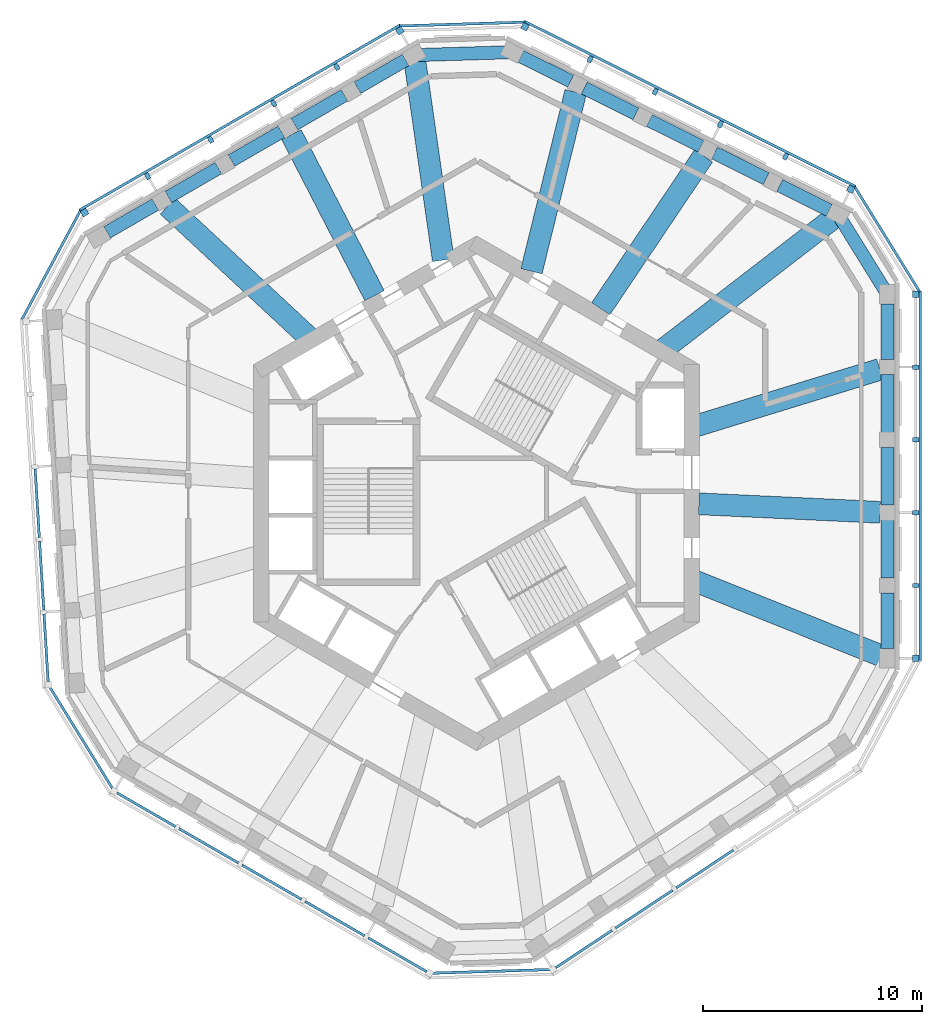
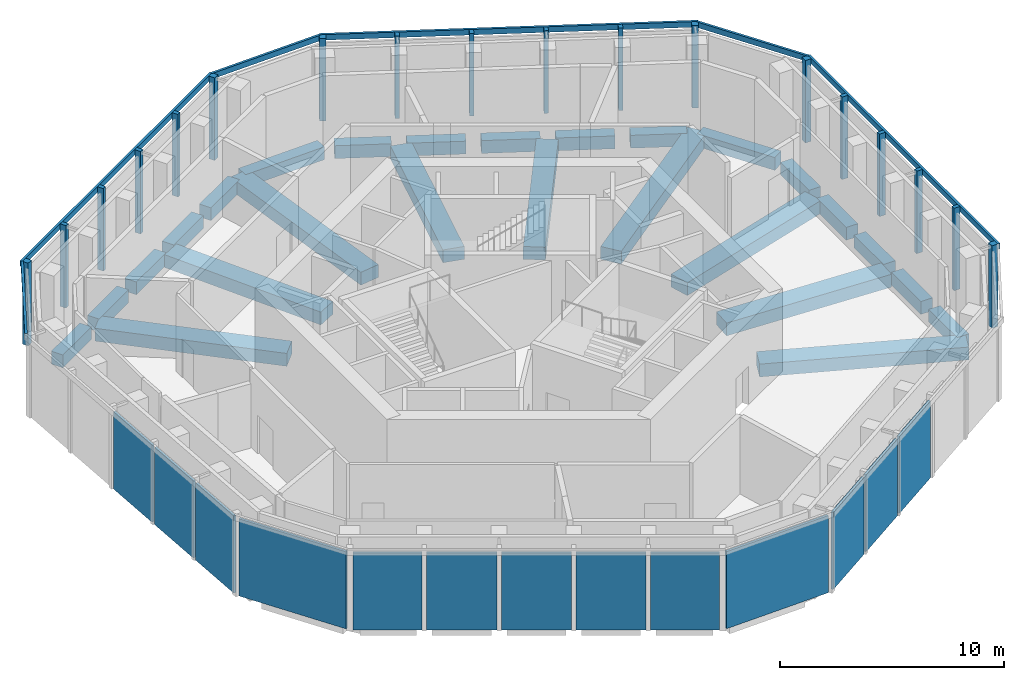
# One storey, part 2 of 9: 26 beams, 24 members, 13 plates, 11 elements without a shape of their own.
"""IFC4 building model written with IfcOpenShell, lengths in metres."""

import ifcopenshell
import ifcopenshell.guid

model = None  # the IFC model being written
_history = None  # IfcOwnerHistory: only IFC2X3 demands one
_inside = {}  # id of a spatial element -> (the spatial element, [elements in it])
_under = {}  # id of a project, library or spatial element -> (it, [spatial elements below it])
_declared = {}  # id of a project -> (the project, [libraries it declares])
_typed = {}  # id of a type object -> (the type object, [elements of that type])
_made_of = {}  # id of a material, layer set ... -> (it, [elements and type objects made of it])


def new_model(schema):
    """Start an empty IFC model of exactly this schema.

    Asked for "IFC4X3", IfcOpenShell would pick the latest addendum, in which some entities
    have other attributes; the version numbers below select the first issue.
    IFC2X3 requires an IfcOwnerHistory on every rooted entity: one is made here for all.
    """
    global model, _history
    if schema == "IFC4X3":
        model = ifcopenshell.file(schema_version=(4, 3, 0, 0))
    else:
        model = ifcopenshell.file(schema=schema)
    _inside.clear()
    _under.clear()
    _declared.clear()
    _typed.clear()
    _made_of.clear()
    _history = None
    if model.schema == "IFC2X3":
        org = make("IfcOrganization", Name="unknown")
        user = make(
            "IfcPersonAndOrganization",
            ThePerson=make("IfcPerson", FamilyName="unknown"),
            TheOrganization=org,
        )
        app = make(
            "IfcApplication",
            ApplicationDeveloper=org,
            Version="unknown",
            ApplicationFullName="unknown",
            ApplicationIdentifier="unknown",
        )
        _history = make(
            "IfcOwnerHistory",
            OwningUser=user,
            OwningApplication=app,
            ChangeAction="ADDED",
            CreationDate=0,
        )
    return model


def make(cls, **values):
    """One entity of the class cls with the attributes given. An attribute that is None is left unset."""
    return model.create_entity(
        cls, **{name: value for name, value in values.items() if value is not None}
    )


def rooted(cls, **values):
    """An entity with a GlobalId (a new one), such as an element, a storey or a relation."""
    return make(cls, GlobalId=ifcopenshell.guid.new(), OwnerHistory=_history, **values)


def si_unit(unit_type, name, prefix=None):
    """IfcSIUnit, for example si_unit("LENGTHUNIT", "METRE", prefix="MILLI")."""
    return make("IfcSIUnit", UnitType=unit_type, Prefix=prefix, Name=name)


def assignment(units):
    """IfcUnitAssignment: the units of a project."""
    return None if units is None else make("IfcUnitAssignment", Units=units)


def point(xyz):
    """IfcCartesianPoint."""
    return None if xyz is None else make("IfcCartesianPoint", Coordinates=xyz)


def direction(xyz):
    """IfcDirection."""
    return None if xyz is None else make("IfcDirection", DirectionRatios=xyz)


def frame(location, z_axis=None, x_axis=None):
    """IfcAxis2Placement3D, a coordinate frame: its origin and axes. An axis left out is left unset."""
    return make(
        "IfcAxis2Placement3D",
        Location=point(location),
        Axis=direction(z_axis),
        RefDirection=direction(x_axis),
    )


def frame_2d(location, x_axis=None):
    """IfcAxis2Placement2D, a coordinate frame in the plane: its origin and x axis."""
    return make(
        "IfcAxis2Placement2D", Location=point(location), RefDirection=direction(x_axis)
    )


def origin():
    """The frame at (0, 0, 0) with its axes left unset."""
    return frame((0.0, 0.0, 0.0))


def origin_2d():
    """The frame at (0, 0) in the plane with its x axis left unset."""
    return frame_2d((0.0, 0.0))


def place(relative_to, where):
    """IfcLocalPlacement: puts the frame where relative to a parent placement (None: the world)."""
    return make(
        "IfcLocalPlacement", PlacementRelTo=relative_to, RelativePlacement=where
    )


def context(
    kind, dimensions, precision=None, world=None, true_north=None, identifier=None
):
    """IfcGeometricRepresentationContext, for example the 3D "Model" context."""
    return make(
        "IfcGeometricRepresentationContext",
        ContextIdentifier=identifier,
        ContextType=kind,
        CoordinateSpaceDimension=dimensions,
        Precision=precision,
        WorldCoordinateSystem=world,
        TrueNorth=true_north,
    )


def subcontext(parent, identifier, kind, view, scale=None):
    """IfcGeometricRepresentationSubContext, for example "Body" below "Model"."""
    return make(
        "IfcGeometricRepresentationSubContext",
        ContextIdentifier=identifier,
        ContextType=kind,
        ParentContext=parent,
        TargetScale=scale,
        TargetView=view,
    )


def project(units=None, contexts=None):
    """IfcProject with its units and contexts."""
    return rooted(
        "IfcProject",
        Name="project",
        RepresentationContexts=contexts,
        UnitsInContext=assignment(units),
    )


def spatial(cls, under=None, at=None, **own):
    """A site, building, storey or space (cls), placed at a placement, below another one or the project."""
    s = rooted(cls, ObjectPlacement=at, **own)
    if under is not None:
        _under.setdefault(under.id(), (under, []))[1].append(s)
    return s


def profile(cls, at=None, kind="AREA", **sizes):
    """A parametric profile (cls). Its sizes go by their IFC names, for example OverallWidth=200.0."""
    return make(cls, ProfileType=kind, Position=at, **sizes)


def rectangle(**sizes):
    """IfcRectangleProfileDef."""
    return profile("IfcRectangleProfileDef", **sizes)


def extrude(swept, where, along, depth):
    """IfcExtrudedAreaSolid: the profile swept, set in the frame where, extruded along a direction by depth."""
    return make(
        "IfcExtrudedAreaSolid",
        SweptArea=swept,
        Position=where,
        ExtrudedDirection=direction(along),
        Depth=depth,
    )


def shape(context_of_items, identifier, shape_type, items):
    """IfcShapeRepresentation: the items that make up one representation, for example the "Body"."""
    return make(
        "IfcShapeRepresentation",
        ContextOfItems=context_of_items,
        RepresentationIdentifier=identifier,
        RepresentationType=shape_type,
        Items=items,
    )


def material(Name=None, Category=None):
    """IfcMaterial."""
    return make("IfcMaterial", Name=Name, Category=Category)


def layer(
    of_material, thickness, ventilated=None, Name=None, Category=None, Priority=None
):
    """IfcMaterialLayer: one layer of a wall or slab, of a material (None: an air gap)."""
    return make(
        "IfcMaterialLayer",
        Material=of_material,
        LayerThickness=thickness,
        IsVentilated=ventilated,
        Name=Name,
        Category=Category,
        Priority=Priority,
    )


def layer_set(layers, Name=None):
    """IfcMaterialLayerSet."""
    return make("IfcMaterialLayerSet", MaterialLayers=layers, LayerSetName=Name)


def material_profile(
    of_material, cross_section, Name=None, Category=None, Priority=None
):
    """IfcMaterialProfile: a cross section and its material."""
    return make(
        "IfcMaterialProfile",
        Name=Name,
        Material=of_material,
        Profile=cross_section,
        Priority=Priority,
        Category=Category,
    )


def profile_set(profiles, Name=None, composite=None):
    """IfcMaterialProfileSet."""
    return make(
        "IfcMaterialProfileSet",
        Name=Name,
        MaterialProfiles=profiles,
        CompositeProfile=composite,
    )


def made_of(thing, what):
    """Note that an element or type object is made of a material, layer set ...; save() writes the relation."""
    if what is not None:
        _made_of.setdefault(what.id(), (what, []))[1].append(thing)
    return thing


def type_object(cls, material=None, **own):
    """A type object (cls), such as IfcWallType, which elements share."""
    return made_of(rooted(cls, **own), material)


def element(
    cls,
    number,
    at=None,
    inside=None,
    cuts=None,
    type_object=None,
    material=None,
    context=None,
    identifier="Body",
    shape_type=None,
    held_by="IfcProductDefinitionShape",
    body=None,
    shapes=None,
    **own,
):
    """One element of the class cls, such as IfcWall. Its Tag is "e" and its number.

    at: its placement. inside: the storey or other place that contains it. cuts: it is an
    opening in that element (IfcRelVoidsElement). A single representation is given by context,
    identifier, shape_type and body (its items); several are given by shapes. held_by: the class
    of the entity that holds the representations. save() writes the other relations.
    """
    e = rooted(cls, Tag="e%d" % number, ObjectPlacement=at, **own)
    if body is not None:
        shapes = [shape(context, identifier, shape_type, body)]
    if shapes is not None:
        e.Representation = make(held_by, Representations=shapes)
    if inside is not None:
        _inside.setdefault(inside.id(), (inside, []))[1].append(e)
    if cuts is not None:
        rooted(
            "IfcRelVoidsElement", RelatingBuildingElement=cuts, RelatedOpeningElement=e
        )
    if type_object is not None:
        _typed.setdefault(type_object.id(), (type_object, []))[1].append(e)
    return made_of(e, material)


def aggregate(whole, parts):
    """IfcRelAggregates: a whole, such as a stair, and the parts it consists of."""
    return rooted("IfcRelAggregates", RelatingObject=whole, RelatedObjects=parts)


def save(model, path):
    """Write the relations noted so far, then the file.

    IfcRelAggregates (storeys below a building ...), IfcRelContainedInSpatialStructure (elements
    in a storey), IfcRelDefinesByType, IfcRelAssociatesMaterial and IfcRelDeclares: one each for
    every whole, place, type object, material and project.
    """
    for whole, parts in _under.values():
        aggregate(whole, parts)
    for where, things in _inside.values():
        rooted(
            "IfcRelContainedInSpatialStructure",
            RelatedElements=things,
            RelatingStructure=where,
        )
    for kind, things in _typed.values():
        rooted("IfcRelDefinesByType", RelatedObjects=things, RelatingType=kind)
    for what, things in _made_of.values():
        rooted("IfcRelAssociatesMaterial", RelatedObjects=things, RelatingMaterial=what)
    for by, libraries in _declared.values():
        rooted("IfcRelDeclares", RelatingContext=by, RelatedDefinitions=libraries)
    model.write(path)


model = new_model("IFC4")

# Units and contexts
model_context = context("Model", 3, precision=1e-05, world=origin(), true_north=direction((0.0, 1.0)))
body_context = subcontext(model_context, "Body", "Model", "MODEL_VIEW")
ifc_project = project(units=[si_unit("LENGTHUNIT", "METRE"), si_unit("AREAUNIT", "SQUARE_METRE"), si_unit("VOLUMEUNIT", "CUBIC_METRE"), si_unit("PLANEANGLEUNIT", "RADIAN"), si_unit("MASSUNIT", "GRAM", prefix="KILO")], contexts=[model_context])

# Site, building, storey
site_placement = place(None, origin())
site = spatial("IfcSite", under=ifc_project, at=site_placement, CompositionType="ELEMENT")
building_placement = place(site_placement, origin())
building = spatial("IfcBuilding", under=site, at=building_placement, Name="Vanh Sen Convention Tower", CompositionType="ELEMENT")
storey_placement = place(building_placement, frame((0.0, 0.0, 300.5)))
storey = spatial("IfcBuildingStorey", under=building, at=storey_placement, Name="L74", CompositionType="ELEMENT", Elevation=300.5)

# Curtain wall, members
ifc_material_1 = material(Name="Concrete C50/60", Category="concrete")
curtain_wall_type = type_object("IfcCurtainWallType", Name="Outer skin office zone", PredefinedType="NOTDEFINED", material=ifc_material_1)
curtain_wall_1_placement = place(storey_placement, origin())
curtain_wall_1 = element("IfcCurtainWall", 1, at=curtain_wall_1_placement, inside=storey, type_object=curtain_wall_type, Name="OUTER SKIN E L74", PredefinedType="NOTDEFINED")
ifc_material_profile_1 = material_profile(ifc_material_1, rectangle(XDim=0.300048828125, YDim=0.300048828125, at=origin_2d()), Name="Outer skin precast corner fin 300 x 300")
ifc_profile_set_1 = profile_set([ifc_material_profile_1], Name="Concrete C50/60")
member_type_1 = type_object("IfcMemberType", Name="Outer skin precast corner fin 300 x 300", PredefinedType="MULLION", material=ifc_profile_set_1)
member_1_placement = place(storey_placement, frame((20.10009765625, -7.546630859375, 0.0), z_axis=(0.0, 0.0, 1.0), x_axis=(0.0, 1.0, 0.0)))
member_1 = element("IfcMember", 2, at=member_1_placement, type_object=member_type_1, Name="OUTER SKIN CORNER FIN 1 E L74", PredefinedType="MULLION", context=body_context, shape_type="SweptSolid", body=[
    extrude(rectangle(XDim=0.300048828125, YDim=0.300048828125, at=origin_2d()), origin(), (0.0, 0.0, 1.0), 4.5),
])
member_2_placement = place(storey_placement, frame((20.10009765625, 9.111572265625, 0.0), z_axis=(0.0, 0.0, 1.0), x_axis=(0.0, 1.0, 0.0)))
member_2 = element("IfcMember", 3, at=member_2_placement, type_object=member_type_1, Name="OUTER SKIN CORNER FIN 6 E L74", PredefinedType="MULLION", context=body_context, shape_type="SweptSolid", body=[
    extrude(rectangle(XDim=0.300048828125, YDim=0.300048828125, at=origin_2d()), origin(), (0.0, 0.0, 1.0), 4.5),
])

curtain_wall_2_placement = place(storey_placement, origin())
curtain_wall_2 = element("IfcCurtainWall", 4, at=curtain_wall_2_placement, inside=storey, type_object=curtain_wall_type, Name="OUTER SKIN NE L74", PredefinedType="NOTDEFINED")
member_3_placement = place(storey_placement, frame((17.122802734375, 13.922607421875, 0.0), z_axis=(0.0, 0.0, 1.0), x_axis=(-0.894934361602, 0.44619781311, 0.0)))
member_3 = element("IfcMember", 5, at=member_3_placement, type_object=member_type_1, Name="OUTER SKIN CORNER FIN 1 NE L74", PredefinedType="MULLION", context=body_context, shape_type="SweptSolid", body=[
    extrude(rectangle(XDim=0.300048828125, YDim=0.300048828125, at=origin_2d()), origin(), (0.0, 0.0, 1.0), 4.5),
])
member_4_placement = place(storey_placement, frame((2.21484375, 21.35546875, 0.0), z_axis=(0.0, 0.0, 1.0), x_axis=(-0.894934361602, 0.44619781311, 0.0)))
member_4 = element("IfcMember", 6, at=member_4_placement, type_object=member_type_1, Name="OUTER SKIN CORNER FIN 6 NE L74", PredefinedType="MULLION", context=body_context, shape_type="SweptSolid", body=[
    extrude(rectangle(XDim=0.300048828125, YDim=0.300048828125, at=origin_2d()), origin(), (0.0, 0.0, 1.0), 4.5),
])

curtain_wall_3_placement = place(storey_placement, origin())
curtain_wall_3 = element("IfcCurtainWall", 7, at=curtain_wall_3_placement, inside=storey, type_object=curtain_wall_type, Name="OUTER SKIN NW L74", PredefinedType="NOTDEFINED")
member_5_placement = place(storey_placement, frame((-3.514404296875, 21.180419921875, 0.0), z_axis=(0.0, 0.0, 1.0), x_axis=(-0.866025403784, -0.5, 0.0)))
member_5 = element("IfcMember", 8, at=member_5_placement, type_object=member_type_1, Name="OUTER SKIN CORNER FIN 1 NW L74", PredefinedType="MULLION", context=body_context, shape_type="SweptSolid", body=[
    extrude(rectangle(XDim=0.300048828125, YDim=0.300048828125, at=origin_2d()), origin(), (0.0, 0.0, 1.0), 4.5),
])
member_6_placement = place(storey_placement, frame((-17.94091796875, 12.851318359375, 0.0), z_axis=(0.0, 0.0, 1.0), x_axis=(-0.866025403784, -0.5, 0.0)))
member_6 = element("IfcMember", 9, at=member_6_placement, type_object=member_type_1, Name="OUTER SKIN CORNER FIN 6 NW L74", PredefinedType="MULLION", context=body_context, shape_type="SweptSolid", body=[
    extrude(rectangle(XDim=0.300048828125, YDim=0.300048828125, at=origin_2d()), origin(), (0.0, 0.0, 1.0), 4.5),
])

# Member
ifc_material_profile_2 = material_profile(ifc_material_1, rectangle(XDim=0.199951171875, YDim=0.300048828125, at=origin_2d()), Name="Outer skin precast fin 200 x 300")
ifc_profile_set_2 = profile_set([ifc_material_profile_2], Name="Concrete C50/60")
member_type_2 = type_object("IfcMemberType", Name="Outer skin precast fin 200 x 300", PredefinedType="MULLION", material=ifc_profile_set_2)
member_7_placement = place(storey_placement, frame((20.10009765625, -4.215087890625, 0.0), z_axis=(0.0, 0.0, 1.0), x_axis=(0.0, 1.0, 0.0)))
member_7 = element("IfcMember", 10, at=member_7_placement, type_object=member_type_2, Name="OUTER SKIN fin 2 E L74", PredefinedType="MULLION", context=body_context, shape_type="SweptSolid", body=[
    extrude(rectangle(XDim=0.199951171875, YDim=0.300048828125, at=origin_2d()), origin(), (0.0, 0.0, 1.0), 4.5),
])

member_8_placement = place(storey_placement, frame((20.10009765625, -0.88330078125, 0.0), z_axis=(0.0, 0.0, 1.0), x_axis=(0.0, 1.0, 0.0)))
member_8 = element("IfcMember", 11, at=member_8_placement, type_object=member_type_2, Name="OUTER SKIN fin 3 E L74", PredefinedType="MULLION", context=body_context, shape_type="SweptSolid", body=[
    extrude(rectangle(XDim=0.199951171875, YDim=0.300048828125, at=origin_2d()), origin(), (0.0, 0.0, 1.0), 4.5),
])

member_9_placement = place(storey_placement, frame((20.10009765625, 2.4482421875, 0.0), z_axis=(0.0, 0.0, 1.0), x_axis=(0.0, 1.0, 0.0)))
member_9 = element("IfcMember", 12, at=member_9_placement, type_object=member_type_2, Name="OUTER SKIN fin 4 E L74", PredefinedType="MULLION", context=body_context, shape_type="SweptSolid", body=[
    extrude(rectangle(XDim=0.199951171875, YDim=0.300048828125, at=origin_2d()), origin(), (0.0, 0.0, 1.0), 4.5),
])

member_10_placement = place(storey_placement, frame((20.10009765625, 5.77978515625, 0.0), z_axis=(0.0, 0.0, 1.0), x_axis=(0.0, 1.0, 0.0)))
member_10 = element("IfcMember", 13, at=member_10_placement, type_object=member_type_2, Name="OUTER SKIN fin 5 E L74", PredefinedType="MULLION", context=body_context, shape_type="SweptSolid", body=[
    extrude(rectangle(XDim=0.199951171875, YDim=0.300048828125, at=origin_2d()), origin(), (0.0, 0.0, 1.0), 4.5),
])

member_11_placement = place(storey_placement, frame((14.14111328125, 15.4091796875, 0.0), z_axis=(0.0, 0.0, 1.0), x_axis=(-0.894934361602, 0.44619781311, 0.0)))
member_11 = element("IfcMember", 14, at=member_11_placement, type_object=member_type_2, Name="OUTER SKIN fin 2 NE L74", PredefinedType="MULLION", context=body_context, shape_type="SweptSolid", body=[
    extrude(rectangle(XDim=0.199951171875, YDim=0.300048828125, at=origin_2d()), origin(), (0.0, 0.0, 1.0), 4.5),
])

member_12_placement = place(storey_placement, frame((11.15966796875, 16.895751953125, 0.0), z_axis=(0.0, 0.0, 1.0), x_axis=(-0.894934361602, 0.44619781311, 0.0)))
member_12 = element("IfcMember", 15, at=member_12_placement, type_object=member_type_2, Name="OUTER SKIN fin 3 NE L74", PredefinedType="MULLION", context=body_context, shape_type="SweptSolid", body=[
    extrude(rectangle(XDim=0.199951171875, YDim=0.300048828125, at=origin_2d()), origin(), (0.0, 0.0, 1.0), 4.5),
])

member_13_placement = place(storey_placement, frame((8.177978515625, 18.38232421875, 0.0), z_axis=(0.0, 0.0, 1.0), x_axis=(-0.894934361602, 0.44619781311, 0.0)))
member_13 = element("IfcMember", 16, at=member_13_placement, type_object=member_type_2, Name="OUTER SKIN fin 4 NE L74", PredefinedType="MULLION", context=body_context, shape_type="SweptSolid", body=[
    extrude(rectangle(XDim=0.199951171875, YDim=0.300048828125, at=origin_2d()), origin(), (0.0, 0.0, 1.0), 4.5),
])

member_14_placement = place(storey_placement, frame((5.1962890625, 19.868896484375, 0.0), z_axis=(0.0, 0.0, 1.0), x_axis=(-0.894934361602, 0.44619781311, 0.0)))
member_14 = element("IfcMember", 17, at=member_14_placement, type_object=member_type_2, Name="OUTER SKIN fin 5 NE L74", PredefinedType="MULLION", context=body_context, shape_type="SweptSolid", body=[
    extrude(rectangle(XDim=0.199951171875, YDim=0.300048828125, at=origin_2d()), origin(), (0.0, 0.0, 1.0), 4.5),
])

member_15_placement = place(storey_placement, frame((-6.399658203125, 19.5146484375, 0.0), z_axis=(0.0, 0.0, 1.0), x_axis=(-0.866025403784, -0.5, 0.0)))
member_15 = element("IfcMember", 18, at=member_15_placement, type_object=member_type_2, Name="OUTER SKIN fin 2 NW L74", PredefinedType="MULLION", context=body_context, shape_type="SweptSolid", body=[
    extrude(rectangle(XDim=0.199951171875, YDim=0.300048828125, at=origin_2d()), origin(), (0.0, 0.0, 1.0), 4.5),
])

member_16_placement = place(storey_placement, frame((-9.284912109375, 17.848876953125, 0.0), z_axis=(0.0, 0.0, 1.0), x_axis=(-0.866025403784, -0.5, 0.0)))
member_16 = element("IfcMember", 19, at=member_16_placement, type_object=member_type_2, Name="OUTER SKIN fin 3 NW L74", PredefinedType="MULLION", context=body_context, shape_type="SweptSolid", body=[
    extrude(rectangle(XDim=0.199951171875, YDim=0.300048828125, at=origin_2d()), origin(), (0.0, 0.0, 1.0), 4.5),
])

member_17_placement = place(storey_placement, frame((-12.170166015625, 16.18310546875, 0.0), z_axis=(0.0, 0.0, 1.0), x_axis=(-0.866025403784, -0.5, 0.0)))
member_17 = element("IfcMember", 20, at=member_17_placement, type_object=member_type_2, Name="OUTER SKIN fin 4 NW L74", PredefinedType="MULLION", context=body_context, shape_type="SweptSolid", body=[
    extrude(rectangle(XDim=0.199951171875, YDim=0.300048828125, at=origin_2d()), origin(), (0.0, 0.0, 1.0), 4.5),
])

member_18_placement = place(storey_placement, frame((-15.055419921875, 14.51708984375, 0.0), z_axis=(0.0, 0.0, 1.0), x_axis=(-0.866025403784, -0.5, 0.0)))
member_18 = element("IfcMember", 21, at=member_18_placement, type_object=member_type_2, Name="OUTER SKIN fin 5 NW L74", PredefinedType="MULLION", context=body_context, shape_type="SweptSolid", body=[
    extrude(rectangle(XDim=0.199951171875, YDim=0.300048828125, at=origin_2d()), origin(), (0.0, 0.0, 1.0), 4.5),
])

ifc_material_profile_3 = material_profile(ifc_material_1, rectangle(XDim=0.1201171875, YDim=0.300048828125, at=origin_2d()), Name="Outer skin precast spandrel band 300 x 120")
ifc_profile_set_3 = profile_set([ifc_material_profile_3], Name="Concrete C50/60")
member_type_3 = type_object("IfcMemberType", Name="Outer skin precast spandrel band 300 x 120", PredefinedType="USERDEFINED", material=ifc_profile_set_3)
member_19_placement = place(storey_placement, frame((20.31005859375, -7.69677734375, 4.35009765625), z_axis=(0.0, 1.0, 0.0), x_axis=(-1.0, 0.0, 0.0)))
member_19 = element("IfcMember", 22, at=member_19_placement, type_object=member_type_3, Name="OUTER SKIN spandrel band E L74", ObjectType="TRANSOM", PredefinedType="USERDEFINED", context=body_context, shape_type="SweptSolid", body=[
    extrude(rectangle(XDim=0.1201171875, YDim=0.300048828125, at=origin_2d()), origin(), (0.0, 0.0, 1.0), 16.958251953125),
])

aggregate(curtain_wall_1, [member_1, member_7, member_8, member_9, member_10, member_2, member_19])

# Curtain wall, member
curtain_wall_4_placement = place(storey_placement, origin())
curtain_wall_4 = element("IfcCurtainWall", 23, at=curtain_wall_4_placement, inside=storey, type_object=curtain_wall_type, Name="OUTER SKIN CH1 L74", PredefinedType="NOTDEFINED")
member_20_placement = place(storey_placement, frame((20.278564453125, 9.221923828125, 4.35009765625), z_axis=(-0.52621200061, 0.850353415007, 0.0), x_axis=(-0.850353415007, -0.52621200061, 0.0)))
member_20 = element("IfcMember", 24, at=member_20_placement, type_object=member_type_3, Name="OUTER SKIN spandrel band CH1 L74", ObjectType="TRANSOM", PredefinedType="USERDEFINED", context=body_context, shape_type="SweptSolid", body=[
    extrude(rectangle(XDim=0.1201171875, YDim=0.300048828125, at=origin_2d()), origin(), (0.0, 0.0, 1.0), 5.657958984375),
])
aggregate(curtain_wall_4, [member_20])

# Member
member_21_placement = place(storey_placement, frame((17.3505859375, 14.043701171875, 4.35009765625), z_axis=(-0.894933383827, 0.446199774218, 0.0), x_axis=(-0.446199774218, -0.894933383827, 0.0)))
member_21 = element("IfcMember", 25, at=member_21_placement, type_object=member_type_3, Name="OUTER SKIN spandrel band NE L74", ObjectType="TRANSOM", PredefinedType="USERDEFINED", context=body_context, shape_type="SweptSolid", body=[
    extrude(rectangle(XDim=0.1201171875, YDim=0.300048828125, at=origin_2d()), origin(), (0.0, 0.0, 1.0), 16.9580078125),
])

aggregate(curtain_wall_2, [member_3, member_11, member_12, member_13, member_14, member_4, member_21])

# Curtain wall, member
curtain_wall_5_placement = place(storey_placement, origin())
curtain_wall_5 = element("IfcCurtainWall", 26, at=curtain_wall_5_placement, inside=storey, type_object=curtain_wall_type, Name="OUTER SKIN CH2 L74", PredefinedType="NOTDEFINED")
member_22_placement = place(storey_placement, frame((2.208251953125, 21.5654296875, 4.35009765625), z_axis=(-0.999533527312, -0.030540592307, 0.0), x_axis=(0.030540592307, -0.999533527312, 0.0)))
member_22 = element("IfcMember", 27, at=member_22_placement, type_object=member_type_3, Name="OUTER SKIN spandrel band CH2 L74", ObjectType="TRANSOM", PredefinedType="USERDEFINED", context=body_context, shape_type="SweptSolid", body=[
    extrude(rectangle(XDim=0.1201171875, YDim=0.300048828125, at=origin_2d()), origin(), (0.0, 0.0, 1.0), 5.731689453125),
])
aggregate(curtain_wall_5, [member_22])

# Member
member_23_placement = place(storey_placement, frame((-3.489501953125, 21.4375, 4.35009765625), z_axis=(-0.866022320763, -0.500005339912, 0.0), x_axis=(0.500005339912, -0.866022320763, 0.0)))
member_23 = element("IfcMember", 28, at=member_23_placement, type_object=member_type_3, Name="OUTER SKIN spandrel band NW L74", ObjectType="TRANSOM", PredefinedType="USERDEFINED", context=body_context, shape_type="SweptSolid", body=[
    extrude(rectangle(XDim=0.1201171875, YDim=0.300048828125, at=origin_2d()), origin(), (0.0, 0.0, 1.0), 16.958251953125),
])

aggregate(curtain_wall_3, [member_5, member_15, member_16, member_17, member_18, member_6, member_23])

# Curtain wall, member
curtain_wall_6_placement = place(storey_placement, origin())
curtain_wall_6 = element("IfcCurtainWall", 29, at=curtain_wall_6_placement, inside=storey, type_object=curtain_wall_type, Name="OUTER SKIN CH3 L74", PredefinedType="NOTDEFINED")
member_24_placement = place(storey_placement, frame((-18.125732421875, 12.95068359375, 4.35009765625), z_axis=(-0.473325096028, -0.880887821161, 0.0), x_axis=(0.880887821161, -0.473325096028, 0.0)))
member_24 = element("IfcMember", 30, at=member_24_placement, type_object=member_type_3, Name="OUTER SKIN spandrel band CH3 L74", ObjectType="TRANSOM", PredefinedType="USERDEFINED", context=body_context, shape_type="SweptSolid", body=[
    extrude(rectangle(XDim=0.1201171875, YDim=0.300048828125, at=origin_2d()), origin(), (0.0, 0.0, 1.0), 5.65771484375),
])
aggregate(curtain_wall_6, [member_24])

# Beams
ifc_material_2 = material(Name="Concrete C50/60", Category="concrete")
ifc_material_profile_4 = material_profile(ifc_material_2, rectangle(XDim=1.0, YDim=0.699951171875, at=origin_2d()), Name="RC 1000X700")
ifc_profile_set_4 = profile_set([ifc_material_profile_4], Name="Concrete C50/60")
beam_type_1 = type_object("IfcBeamType", Name="Radial floor beam 1000 x 700", PredefinedType="BEAM", material=ifc_profile_set_4)
beam_1_placement = place(storey_placement, frame((18.769775390625, -7.53466796875, -0.699951171875), z_axis=(-0.928017609178, 0.372536329846, 0.0), x_axis=(-0.372536329846, -0.928017609178, 0.0)))
element("IfcBeam", 31, at=beam_1_placement, inside=storey, type_object=beam_type_1, Name="Radial beam 01 L74", PredefinedType="BEAM", context=body_context, shape_type="SweptSolid", body=[
    extrude(rectangle(XDim=1.0, YDim=0.699951171875, at=origin_2d()), origin(), (0.0, 0.0, 1.0), 9.440185546875),
])
beam_2_placement = place(storey_placement, frame((18.455078125, -0.8671875, -0.699951171875), z_axis=(-0.998898306547, 0.046927318026, 0.0), x_axis=(-0.046927318026, -0.998898306547, 0.0)))
element("IfcBeam", 32, at=beam_2_placement, inside=storey, type_object=beam_type_1, Name="Radial beam 02 L74", PredefinedType="BEAM", context=body_context, shape_type="SweptSolid", body=[
    extrude(rectangle(XDim=1.0, YDim=0.699951171875, at=origin_2d()), origin(), (0.0, 0.0, 1.0), 8.292724609375),
])
beam_3_placement = place(storey_placement, frame((18.454833984375, 5.673828125, -0.699951171875), z_axis=(-0.955847406594, -0.293863463718, 0.0), x_axis=(0.293863463718, -0.955847406594, 0.0)))
element("IfcBeam", 33, at=beam_3_placement, inside=storey, type_object=beam_type_1, Name="Radial beam 03 L74", PredefinedType="BEAM", context=body_context, shape_type="SweptSolid", body=[
    extrude(rectangle(XDim=1.0, YDim=0.699951171875, at=origin_2d()), origin(), (0.0, 0.0, 1.0), 8.794921875),
])
beam_4_placement = place(storey_placement, frame((16.54638671875, 12.76220703125, -0.699951171875), z_axis=(-0.791828112789, -0.610744005125, 0.0), x_axis=(0.610744005125, -0.791828112789, 0.0)))
element("IfcBeam", 34, at=beam_4_placement, inside=storey, type_object=beam_type_1, Name="Radial beam 04 L74", PredefinedType="BEAM", context=body_context, shape_type="SweptSolid", body=[
    extrude(rectangle(XDim=1.0, YDim=0.699951171875, at=origin_2d()), origin(), (0.0, 0.0, 1.0), 10.077880859375),
])
beam_5_placement = place(storey_placement, frame((10.38525390625, 15.443603515625, -0.699951171875), z_axis=(-0.558018918526, -0.829828227145, 0.0), x_axis=(0.829828227145, -0.558018918526, 0.0)))
element("IfcBeam", 35, at=beam_5_placement, inside=storey, type_object=beam_type_1, Name="Radial beam 05 L74", PredefinedType="BEAM", context=body_context, shape_type="SweptSolid", body=[
    extrude(rectangle(XDim=1.0, YDim=0.699951171875, at=origin_2d()), origin(), (0.0, 0.0, 1.0), 8.426025390625),
])
beam_6_placement = place(storey_placement, frame((4.531494140625, 18.362060546875, -0.699951171875), z_axis=(-0.239595668833, -0.970872759674, 0.0), x_axis=(0.970872759674, -0.239595668833, 0.0)))
element("IfcBeam", 36, at=beam_6_placement, inside=storey, type_object=beam_type_1, Name="Radial beam 06 L74", PredefinedType="BEAM", context=body_context, shape_type="SweptSolid", body=[
    extrude(rectangle(XDim=1.0, YDim=0.699951171875, at=origin_2d()), origin(), (0.0, 0.0, 1.0), 8.444091796875),
])
beam_7_placement = place(storey_placement, frame((-2.859619140625, 20.0224609375, -0.699951171875), z_axis=(0.141385149958, -0.989954665311, 0.0), x_axis=(0.989954665311, 0.141385149958, 0.0)))
element("IfcBeam", 37, at=beam_7_placement, inside=storey, type_object=beam_type_1, Name="Radial beam 07 L74", PredefinedType="BEAM", context=body_context, shape_type="SweptSolid", body=[
    extrude(rectangle(XDim=1.0, YDim=0.699951171875, at=origin_2d()), origin(), (0.0, 0.0, 1.0), 9.440185546875),
])
beam_8_placement = place(storey_placement, frame((-8.476318359375, 16.416015625, -0.699951171875), z_axis=(0.458787653856, -0.888545940664, 0.0), x_axis=(0.888545940664, 0.458787653856, 0.0)))
element("IfcBeam", 38, at=beam_8_placement, inside=storey, type_object=beam_type_1, Name="Radial beam 08 L74", PredefinedType="BEAM", context=body_context, shape_type="SweptSolid", body=[
    extrude(rectangle(XDim=1.0, YDim=0.699951171875, at=origin_2d()), origin(), (0.0, 0.0, 1.0), 8.29248046875),
])
beam_9_placement = place(storey_placement, frame((-14.14111328125, 13.1455078125, -0.699951171875), z_axis=(0.732424605886, -0.680848145104, 0.0), x_axis=(0.680848145104, 0.732424605886, 0.0)))
element("IfcBeam", 39, at=beam_9_placement, inside=storey, type_object=beam_type_1, Name="Radial beam 09 L74", PredefinedType="BEAM", context=body_context, shape_type="SweptSolid", body=[
    extrude(rectangle(XDim=1.0, YDim=0.699951171875, at=origin_2d()), origin(), (0.0, 0.0, 1.0), 8.794921875),
])
ifc_material_profile_5 = material_profile(ifc_material_2, rectangle(XDim=0.60009765625, YDim=0.699951171875, at=origin_2d()), Name="RC 600X700")
ifc_profile_set_5 = profile_set([ifc_material_profile_5], Name="Concrete C50/60")
beam_type_2 = type_object("IfcBeamType", Name="Spandrel beam 600 x 700", PredefinedType="SPANDREL", material=ifc_profile_set_5)
beam_10_placement = place(storey_placement, frame((18.800048828125, -7.101806640625, -0.699951171875), z_axis=(0.0, 1.0, 0.0), x_axis=(-1.0, 0.0, 0.0)))
element("IfcBeam", 40, at=beam_10_placement, inside=storey, type_object=beam_type_2, Name="Spandrel beam 01 L74", PredefinedType="SPANDREL", context=body_context, shape_type="SweptSolid", body=[
    extrude(rectangle(XDim=0.60009765625, YDim=0.699951171875, at=origin_2d()), origin(), (0.0, 0.0, 1.0), 2.541748046875),
])
for number, where, z_axis, x_axis, name in (
    (41, (18.800048828125, -3.8701171875, -0.699951171875), (0.0, 1.0, 0.0), (-1.0, 0.0, 0.0), "Spandrel beam 02 L74"),
    (42, (18.800048828125, -0.538330078125, -0.699951171875), (0.0, 1.0, 0.0), (-1.0, 0.0, 0.0), "Spandrel beam 03 L74"),
    (43, (18.800048828125, 2.793212890625, -0.699951171875), (0.0, 1.0, 0.0), (-1.0, 0.0, 0.0), "Spandrel beam 04 L74"),
):
    element("IfcBeam", number, at=place(storey_placement, frame(where, z_axis=z_axis, x_axis=x_axis)), inside=storey, type_object=beam_type_2, Name=name, PredefinedType="SPANDREL", context=body_context, shape_type="SweptSolid", body=[
        extrude(rectangle(XDim=0.60009765625, YDim=0.699951171875, at=origin_2d()), origin(), (0.0, 0.0, 1.0), 2.6416015625),
    ])
beam_11_placement = place(storey_placement, frame((18.800048828125, 6.125, -0.699951171875), z_axis=(0.0, 1.0, 0.0), x_axis=(-1.0, 0.0, 0.0)))
element("IfcBeam", 44, at=beam_11_placement, inside=storey, type_object=beam_type_2, Name="Spandrel beam 05 L74", PredefinedType="SPANDREL", context=body_context, shape_type="SweptSolid", body=[
    extrude(rectangle(XDim=0.60009765625, YDim=0.699951171875, at=origin_2d()), origin(), (0.0, 0.0, 1.0), 2.54150390625),
])
beam_12_placement = place(storey_placement, frame((18.707763671875, 9.260498046875, -0.699951171875), z_axis=(-0.526205246262, 0.850357594666, 0.0), x_axis=(-0.850357594666, -0.526205246262, 0.0)))
element("IfcBeam", 45, at=beam_12_placement, inside=storey, type_object=beam_type_2, Name="Spandrel beam 06 L74", PredefinedType="SPANDREL", context=body_context, shape_type="SweptSolid", body=[
    extrude(rectangle(XDim=0.60009765625, YDim=0.699951171875, at=origin_2d()), origin(), (0.0, 0.0, 1.0), 3.93896484375),
])
beam_13_placement = place(storey_placement, frame((16.144287109375, 12.957763671875, -0.699951171875), z_axis=(-0.894926162451, 0.446214257684, 0.0), x_axis=(-0.446214257684, -0.894926162451, 0.0)))
element("IfcBeam", 46, at=beam_13_placement, inside=storey, type_object=beam_type_2, Name="Spandrel beam 07 L74", PredefinedType="SPANDREL", context=body_context, shape_type="SweptSolid", body=[
    extrude(rectangle(XDim=0.60009765625, YDim=0.699951171875, at=origin_2d()), origin(), (0.0, 0.0, 1.0), 2.54150390625),
])
for number, where, z_axis, x_axis, name in (
    (47, (13.25244140625, 14.399658203125, -0.699951171875), (-0.894907211367, 0.446252263909, 0.0), (-0.446252263909, -0.894907211367, 0.0), "Spandrel beam 08 L74"),
    (48, (10.270751953125, 15.88623046875, -0.699951171875), (-0.894907211367, 0.446252263909, 0.0), (-0.446252263909, -0.894907211367, 0.0), "Spandrel beam 09 L74"),
):
    element("IfcBeam", number, at=place(storey_placement, frame(where, z_axis=z_axis, x_axis=x_axis)), inside=storey, type_object=beam_type_2, Name=name, PredefinedType="SPANDREL", context=body_context, shape_type="SweptSolid", body=[
        extrude(rectangle(XDim=0.60009765625, YDim=0.699951171875, at=origin_2d()), origin(), (0.0, 0.0, 1.0), 2.641845703125),
    ])
beam_14_placement = place(storey_placement, frame((7.2890625, 17.372802734375, -0.699951171875), z_axis=(-0.894925714782, 0.446215155527, 0.0), x_axis=(-0.446215155527, -0.894925714782, 0.0)))
element("IfcBeam", 49, at=beam_14_placement, inside=storey, type_object=beam_type_2, Name="Spandrel beam 10 L74", PredefinedType="SPANDREL", context=body_context, shape_type="SweptSolid", body=[
    extrude(rectangle(XDim=0.60009765625, YDim=0.699951171875, at=origin_2d()), origin(), (0.0, 0.0, 1.0), 2.6416015625),
])
beam_15_placement = place(storey_placement, frame((4.3076171875, 18.859375, -0.699951171875), z_axis=(-0.894945286886, 0.446175899709, 0.0), x_axis=(-0.446175899709, -0.894945286886, 0.0)))
element("IfcBeam", 50, at=beam_15_placement, inside=storey, type_object=beam_type_2, Name="Spandrel beam 11 L74", PredefinedType="SPANDREL", context=body_context, shape_type="SweptSolid", body=[
    extrude(rectangle(XDim=0.60009765625, YDim=0.699951171875, at=origin_2d()), origin(), (0.0, 0.0, 1.0), 2.541748046875),
])
beam_16_placement = place(storey_placement, frame((1.458740234375, 20.186767578125, -0.699951171875), z_axis=(-0.99953353558, -0.030540321734, 0.0), x_axis=(0.030540321734, -0.99953353558, 0.0)))
element("IfcBeam", 51, at=beam_16_placement, inside=storey, type_object=beam_type_2, Name="Spandrel beam 12 L74", PredefinedType="SPANDREL", context=body_context, shape_type="SweptSolid", body=[
    extrude(rectangle(XDim=0.60009765625, YDim=0.699951171875, at=origin_2d()), origin(), (0.0, 0.0, 1.0), 4.14892578125),
])
beam_17_placement = place(storey_placement, frame((-3.249755859375, 19.832275390625, -0.699951171875), z_axis=(-0.86597601289, -0.500085537782, 0.0), x_axis=(0.500085537782, -0.86597601289, 0.0)))
element("IfcBeam", 52, at=beam_17_placement, inside=storey, type_object=beam_type_2, Name="Spandrel beam 13 L74", PredefinedType="SPANDREL", context=body_context, shape_type="SweptSolid", body=[
    extrude(rectangle(XDim=0.60009765625, YDim=0.699951171875, at=origin_2d()), origin(), (0.0, 0.0, 1.0), 2.54150390625),
])
for number, where, z_axis, x_axis, name in (
    (53, (-6.04833984375, 18.21630859375, -0.699951171875), (-0.86603938454, -0.49997578384, 0.0), (0.49997578384, -0.86603938454, 0.0), "Spandrel beam 14 L74"),
    (54, (-8.93359375, 16.550537109375, -0.699951171875), (-0.86603938454, -0.49997578384, 0.0), (0.49997578384, -0.86603938454, 0.0), "Spandrel beam 15 L74"),
):
    element("IfcBeam", number, at=place(storey_placement, frame(where, z_axis=z_axis, x_axis=x_axis)), inside=storey, type_object=beam_type_2, Name=name, PredefinedType="SPANDREL", context=body_context, shape_type="SweptSolid", body=[
        extrude(rectangle(XDim=0.60009765625, YDim=0.699951171875, at=origin_2d()), origin(), (0.0, 0.0, 1.0), 2.641845703125),
    ])
beam_18_placement = place(storey_placement, frame((-11.819091796875, 14.884765625, -0.699951171875), z_axis=(-0.865976257072, -0.500085114943, 0.0), x_axis=(0.500085114943, -0.865976257072, 0.0)))
element("IfcBeam", 55, at=beam_18_placement, inside=storey, type_object=beam_type_2, Name="Spandrel beam 16 L74", PredefinedType="SPANDREL", context=body_context, shape_type="SweptSolid", body=[
    extrude(rectangle(XDim=0.60009765625, YDim=0.699951171875, at=origin_2d()), origin(), (0.0, 0.0, 1.0), 2.6416015625),
])
beam_19_placement = place(storey_placement, frame((-14.704345703125, 13.21875, -0.699951171875), z_axis=(-0.866041625918, -0.499971901387, 0.0), x_axis=(0.499971901387, -0.866041625918, 0.0)))
element("IfcBeam", 56, at=beam_19_placement, inside=storey, type_object=beam_type_2, Name="Spandrel beam 17 L74", PredefinedType="SPANDREL", context=body_context, shape_type="SweptSolid", body=[
    extrude(rectangle(XDim=0.60009765625, YDim=0.699951171875, at=origin_2d()), origin(), (0.0, 0.0, 1.0), 2.541748046875),
])

# Curtain wall, plates
curtain_wall_7_placement = place(storey_placement, origin())
curtain_wall_7 = element("IfcCurtainWall", 57, at=curtain_wall_7_placement, inside=storey, type_object=curtain_wall_type, Name="OUTER SKIN W L74", PredefinedType="NOTDEFINED")
ifc_layer = layer(ifc_material_1, 0.1201171875)
ifc_layer_set = layer_set([ifc_layer], Name="Concrete C50/60")
plate_type = type_object("IfcPlateType", Name="Outer skin precast screen panel 120", PredefinedType="CURTAIN_PANEL", material=ifc_layer_set)
plate_1_placement = place(storey_placement, frame((-20.1103515625, -0.4462890625, 0.0), z_axis=(0.0, 0.0, 1.0), x_axis=(0.061052023682, -0.998134585316, 0.0)))
plate_1 = element("IfcPlate", 58, at=plate_1_placement, type_object=plate_type, Name="OUTER SKIN screen panel W-3", PredefinedType="CURTAIN_PANEL", context=body_context, shape_type="SweptSolid", body=[
    extrude(rectangle(XDim=3.131591796875, YDim=0.1201171875, at=origin_2d()), origin(), (0.0, 0.0, 1.0), 4.199951171875),
])
plate_2_placement = place(storey_placement, frame((-19.906982421875, -3.771484375, 0.0), z_axis=(0.0, 0.0, 1.0), x_axis=(0.061052023682, -0.998134585316, 0.0)))
plate_2 = element("IfcPlate", 59, at=plate_2_placement, type_object=plate_type, Name="OUTER SKIN screen panel W-4", PredefinedType="CURTAIN_PANEL", context=body_context, shape_type="SweptSolid", body=[
    extrude(rectangle(XDim=3.131591796875, YDim=0.1201171875, at=origin_2d()), origin(), (0.0, 0.0, 1.0), 4.199951171875),
])
plate_3_placement = place(storey_placement, frame((-19.705078125, -7.072021484375, 0.0), z_axis=(0.0, 0.0, 1.0), x_axis=(0.061050281609, -0.998134691871, 0.0)))
plate_3 = element("IfcPlate", 60, at=plate_3_placement, type_object=plate_type, Name="OUTER SKIN screen panel W-5", PredefinedType="CURTAIN_PANEL", context=body_context, shape_type="SweptSolid", body=[
    extrude(rectangle(XDim=3.081787109375, YDim=0.1201171875, at=origin_2d()), origin(), (0.0, 0.0, 1.0), 4.199951171875),
])
aggregate(curtain_wall_7, [plate_1, plate_2, plate_3])

# Curtain wall, plate
curtain_wall_8_placement = place(storey_placement, origin())
curtain_wall_8 = element("IfcCurtainWall", 61, at=curtain_wall_8_placement, inside=storey, type_object=curtain_wall_type, Name="OUTER SKIN CH4 L74", PredefinedType="NOTDEFINED")
plate_4_placement = place(storey_placement, frame((-18.09375, -11.19677734375, 0.0), z_axis=(0.0, 0.0, 1.0), x_axis=(0.526210955359, -0.850354061823, 0.0)))
plate_4 = element("IfcPlate", 62, at=plate_4_placement, type_object=plate_type, Name="OUTER SKIN screen panel CH4-1", PredefinedType="CURTAIN_PANEL", context=body_context, shape_type="SweptSolid", body=[
    extrude(rectangle(XDim=5.431640625, YDim=0.1201171875, at=origin_2d()), origin(), (0.0, 0.0, 1.0), 4.199951171875),
])
aggregate(curtain_wall_8, [plate_4])

# Curtain wall, plates
curtain_wall_9_placement = place(storey_placement, origin())
curtain_wall_9 = element("IfcCurtainWall", 63, at=curtain_wall_9_placement, inside=storey, type_object=curtain_wall_type, Name="OUTER SKIN SW L74", PredefinedType="NOTDEFINED")
plate_5_placement = place(storey_placement, frame((-15.121337890625, -14.47900390625, 0.0), z_axis=(0.0, 0.0, 1.0), x_axis=(0.866028894422, -0.49999395399, 0.0)))
plate_5 = element("IfcPlate", 64, at=plate_5_placement, type_object=plate_type, Name="OUTER SKIN screen panel SW-1", PredefinedType="CURTAIN_PANEL", context=body_context, shape_type="SweptSolid", body=[
    extrude(rectangle(XDim=3.08154296875, YDim=0.1201171875, at=origin_2d()), origin(), (0.0, 0.0, 1.0), 4.199951171875),
])
plate_6_placement = place(storey_placement, frame((-12.2578125, -16.132568359375, 0.0), z_axis=(0.0, 0.0, 1.0), x_axis=(0.866015804314, -0.500016626402, 0.0)))
plate_6 = element("IfcPlate", 65, at=plate_6_placement, type_object=plate_type, Name="OUTER SKIN screen panel SW-2", PredefinedType="CURTAIN_PANEL", context=body_context, shape_type="SweptSolid", body=[
    extrude(rectangle(XDim=3.131591796875, YDim=0.1201171875, at=origin_2d()), origin(), (0.0, 0.0, 1.0), 4.199951171875),
])
plate_7_placement = place(storey_placement, frame((-9.37255859375, -17.79833984375, 0.0), z_axis=(0.0, 0.0, 1.0), x_axis=(0.866028894422, -0.49999395399, 0.0)))
plate_7 = element("IfcPlate", 66, at=plate_7_placement, type_object=plate_type, Name="OUTER SKIN screen panel SW-3", PredefinedType="CURTAIN_PANEL", context=body_context, shape_type="SweptSolid", body=[
    extrude(rectangle(XDim=3.131591796875, YDim=0.1201171875, at=origin_2d()), origin(), (0.0, 0.0, 1.0), 4.199951171875),
])
plate_8_placement = place(storey_placement, frame((-6.487060546875, -19.464111328125, 0.0), z_axis=(0.0, 0.0, 1.0), x_axis=(0.866028894422, -0.49999395399, 0.0)))
plate_8 = element("IfcPlate", 67, at=plate_8_placement, type_object=plate_type, Name="OUTER SKIN screen panel SW-4", PredefinedType="CURTAIN_PANEL", context=body_context, shape_type="SweptSolid", body=[
    extrude(rectangle(XDim=3.131591796875, YDim=0.1201171875, at=origin_2d()), origin(), (0.0, 0.0, 1.0), 4.199951171875),
])
plate_9_placement = place(storey_placement, frame((-3.62353515625, -21.117431640625, 0.0), z_axis=(0.0, 0.0, 1.0), x_axis=(0.866028894422, -0.49999395399, 0.0)))
plate_9 = element("IfcPlate", 68, at=plate_9_placement, type_object=plate_type, Name="OUTER SKIN screen panel SW-5", PredefinedType="CURTAIN_PANEL", context=body_context, shape_type="SweptSolid", body=[
    extrude(rectangle(XDim=3.08154296875, YDim=0.1201171875, at=origin_2d()), origin(), (0.0, 0.0, 1.0), 4.199951171875),
])
aggregate(curtain_wall_9, [plate_5, plate_6, plate_7, plate_8, plate_9])

# Curtain wall, plate
curtain_wall_10_placement = place(storey_placement, origin())
curtain_wall_10 = element("IfcCurtainWall", 69, at=curtain_wall_10_placement, inside=storey, type_object=curtain_wall_type, Name="OUTER SKIN CH5 L74", PredefinedType="NOTDEFINED")
plate_10_placement = place(storey_placement, frame((0.66845703125, -21.87646484375, 0.0), z_axis=(0.0, 0.0, 1.0), x_axis=(0.999533590837, 0.03053851321, 0.0)))
plate_10 = element("IfcPlate", 70, at=plate_10_placement, type_object=plate_type, Name="OUTER SKIN screen panel CH5-1", PredefinedType="CURTAIN_PANEL", context=body_context, shape_type="SweptSolid", body=[
    extrude(rectangle(XDim=5.35791015625, YDim=0.1201171875, at=origin_2d()), origin(), (0.0, 0.0, 1.0), 4.199951171875),
])
aggregate(curtain_wall_10, [plate_10])

# Curtain wall, plates
curtain_wall_11_placement = place(storey_placement, origin())
curtain_wall_11 = element("IfcCurtainWall", 71, at=curtain_wall_11_placement, inside=storey, type_object=curtain_wall_type, Name="OUTER SKIN SE L74", PredefinedType="NOTDEFINED")
plate_11_placement = place(storey_placement, frame((4.906005859375, -20.85693359375, 0.0), z_axis=(0.0, 0.0, 1.0), x_axis=(0.833902198, 0.551912243179, 0.0)))
plate_11 = element("IfcPlate", 72, at=plate_11_placement, type_object=plate_type, Name="OUTER SKIN screen panel SE-1", PredefinedType="CURTAIN_PANEL", context=body_context, shape_type="SweptSolid", body=[
    extrude(rectangle(XDim=3.081787109375, YDim=0.1201171875, at=origin_2d()), origin(), (0.0, 0.0, 1.0), 4.199951171875),
])
plate_12_placement = place(storey_placement, frame((7.663330078125, -19.03173828125, 0.0), z_axis=(0.0, 0.0, 1.0), x_axis=(0.833879078823, 0.551947173108, 0.0)))
plate_12 = element("IfcPlate", 73, at=plate_12_placement, type_object=plate_type, Name="OUTER SKIN screen panel SE-2", PredefinedType="CURTAIN_PANEL", context=body_context, shape_type="SweptSolid", body=[
    extrude(rectangle(XDim=3.131591796875, YDim=0.1201171875, at=origin_2d()), origin(), (0.0, 0.0, 1.0), 4.199951171875),
])
plate_13_placement = place(storey_placement, frame((10.44140625, -17.193115234375, 0.0), z_axis=(0.0, 0.0, 1.0), x_axis=(0.833892565187, 0.551926797434, 0.0)))
plate_13 = element("IfcPlate", 74, at=plate_13_placement, type_object=plate_type, Name="OUTER SKIN screen panel SE-3", PredefinedType="CURTAIN_PANEL", context=body_context, shape_type="SweptSolid", body=[
    extrude(rectangle(XDim=3.131591796875, YDim=0.1201171875, at=origin_2d()), origin(), (0.0, 0.0, 1.0), 4.199951171875),
])
aggregate(curtain_wall_11, [plate_11, plate_12, plate_13])

save(model, "model.ifc")
